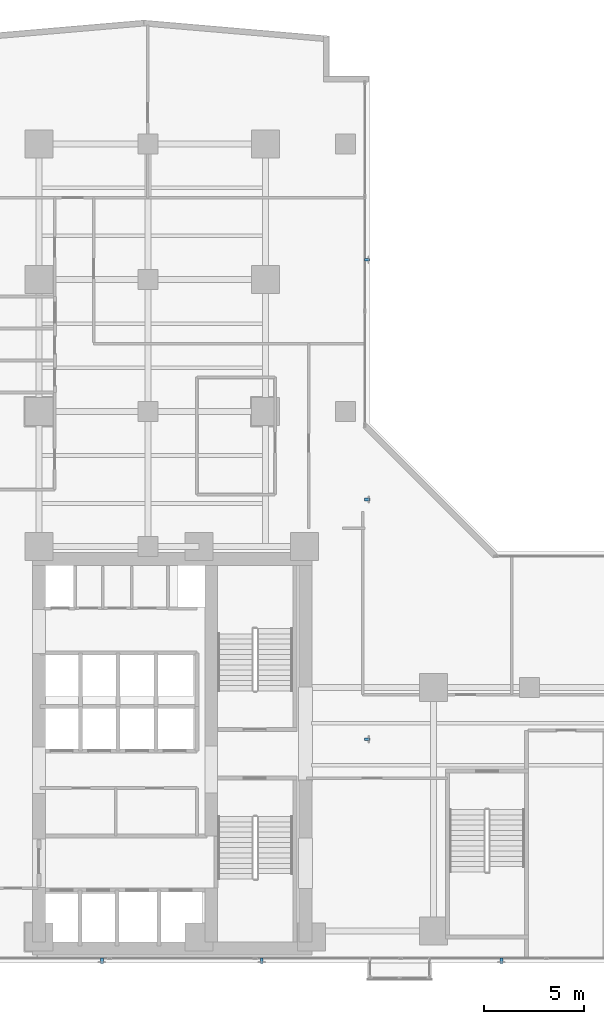
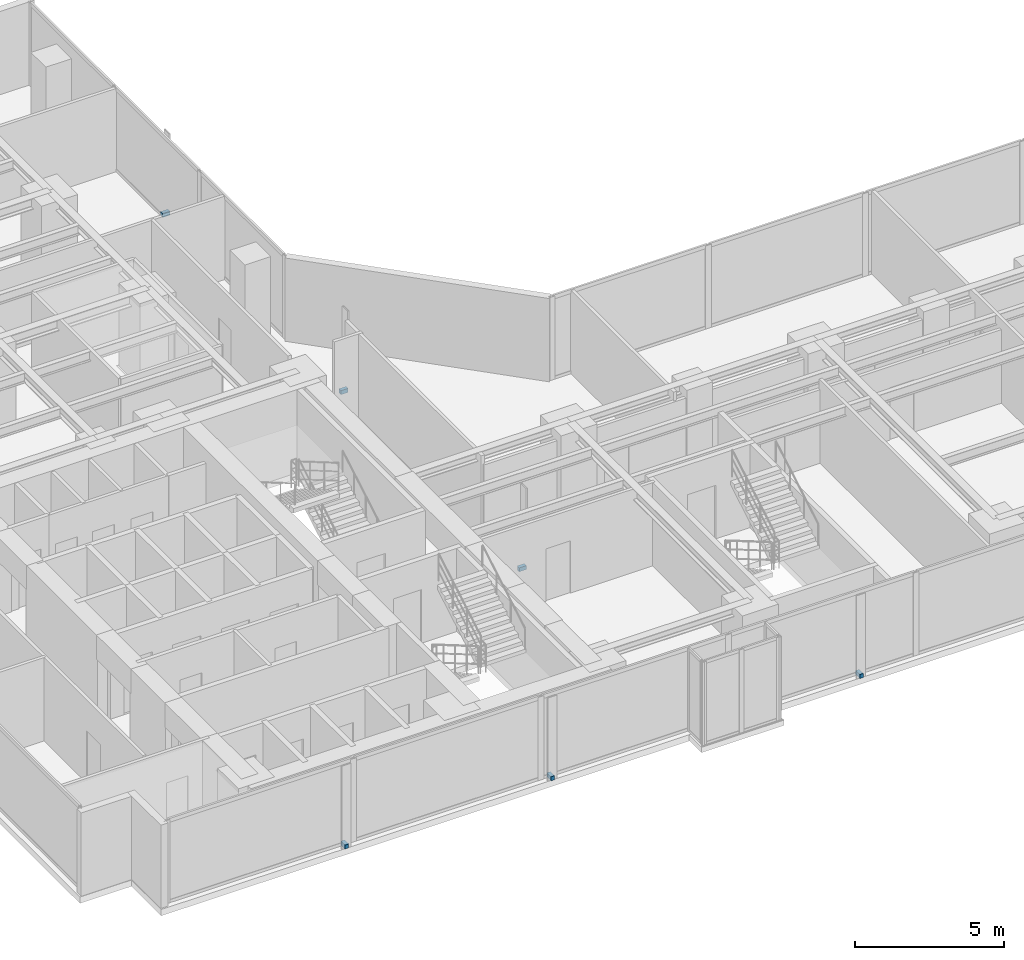
# One storey, part 22 of 25: 6 discrete accessories.
"""IFC4 building model written with IfcOpenShell, lengths in metres."""

import ifcopenshell
import ifcopenshell.guid

model = None  # the IFC model being written
_history = None  # IfcOwnerHistory: only IFC2X3 demands one
_inside = {}  # id of a spatial element -> (the spatial element, [elements in it])
_under = {}  # id of a project, library or spatial element -> (it, [spatial elements below it])
_declared = {}  # id of a project -> (the project, [libraries it declares])
_typed = {}  # id of a type object -> (the type object, [elements of that type])
_made_of = {}  # id of a material, layer set ... -> (it, [elements and type objects made of it])


def new_model(schema):
    """Start an empty IFC model of exactly this schema.

    Asked for "IFC4X3", IfcOpenShell would pick the latest addendum, in which some entities
    have other attributes; the version numbers below select the first issue.
    IFC2X3 requires an IfcOwnerHistory on every rooted entity: one is made here for all.
    """
    global model, _history
    if schema == "IFC4X3":
        model = ifcopenshell.file(schema_version=(4, 3, 0, 0))
    else:
        model = ifcopenshell.file(schema=schema)
    _inside.clear()
    _under.clear()
    _declared.clear()
    _typed.clear()
    _made_of.clear()
    _history = None
    if model.schema == "IFC2X3":
        org = make("IfcOrganization", Name="unknown")
        user = make(
            "IfcPersonAndOrganization",
            ThePerson=make("IfcPerson", FamilyName="unknown"),
            TheOrganization=org,
        )
        app = make(
            "IfcApplication",
            ApplicationDeveloper=org,
            Version="unknown",
            ApplicationFullName="unknown",
            ApplicationIdentifier="unknown",
        )
        _history = make(
            "IfcOwnerHistory",
            OwningUser=user,
            OwningApplication=app,
            ChangeAction="ADDED",
            CreationDate=0,
        )
    return model


def make(cls, **values):
    """One entity of the class cls with the attributes given. An attribute that is None is left unset."""
    return model.create_entity(
        cls, **{name: value for name, value in values.items() if value is not None}
    )


def rooted(cls, **values):
    """An entity with a GlobalId (a new one), such as an element, a storey or a relation."""
    return make(cls, GlobalId=ifcopenshell.guid.new(), OwnerHistory=_history, **values)


def si_unit(unit_type, name, prefix=None):
    """IfcSIUnit, for example si_unit("LENGTHUNIT", "METRE", prefix="MILLI")."""
    return make("IfcSIUnit", UnitType=unit_type, Prefix=prefix, Name=name)


def assignment(units):
    """IfcUnitAssignment: the units of a project."""
    return None if units is None else make("IfcUnitAssignment", Units=units)


def point(xyz):
    """IfcCartesianPoint."""
    return None if xyz is None else make("IfcCartesianPoint", Coordinates=xyz)


def direction(xyz):
    """IfcDirection."""
    return None if xyz is None else make("IfcDirection", DirectionRatios=xyz)


def frame(location, z_axis=None, x_axis=None):
    """IfcAxis2Placement3D, a coordinate frame: its origin and axes. An axis left out is left unset."""
    return make(
        "IfcAxis2Placement3D",
        Location=point(location),
        Axis=direction(z_axis),
        RefDirection=direction(x_axis),
    )


def frame_2d(location, x_axis=None):
    """IfcAxis2Placement2D, a coordinate frame in the plane: its origin and x axis."""
    return make(
        "IfcAxis2Placement2D", Location=point(location), RefDirection=direction(x_axis)
    )


def origin():
    """The frame at (0, 0, 0) with its axes left unset."""
    return frame((0.0, 0.0, 0.0))


def origin_with_axes():
    """The frame at (0, 0, 0) with the z axis (0, 0, 1) and the x axis (1, 0, 0) written out."""
    return frame((0.0, 0.0, 0.0), z_axis=(0.0, 0.0, 1.0), x_axis=(1.0, 0.0, 0.0))


def origin_2d():
    """The frame at (0, 0) in the plane with its x axis left unset."""
    return frame_2d((0.0, 0.0))


def place(relative_to, where):
    """IfcLocalPlacement: puts the frame where relative to a parent placement (None: the world)."""
    return make(
        "IfcLocalPlacement", PlacementRelTo=relative_to, RelativePlacement=where
    )


def context(
    kind, dimensions, precision=None, world=None, true_north=None, identifier=None
):
    """IfcGeometricRepresentationContext, for example the 3D "Model" context."""
    return make(
        "IfcGeometricRepresentationContext",
        ContextIdentifier=identifier,
        ContextType=kind,
        CoordinateSpaceDimension=dimensions,
        Precision=precision,
        WorldCoordinateSystem=world,
        TrueNorth=true_north,
    )


def subcontext(parent, identifier, kind, view, scale=None):
    """IfcGeometricRepresentationSubContext, for example "Body" below "Model"."""
    return make(
        "IfcGeometricRepresentationSubContext",
        ContextIdentifier=identifier,
        ContextType=kind,
        ParentContext=parent,
        TargetScale=scale,
        TargetView=view,
    )


def project(units=None, contexts=None):
    """IfcProject with its units and contexts."""
    return rooted(
        "IfcProject",
        Name="project",
        RepresentationContexts=contexts,
        UnitsInContext=assignment(units),
    )


def spatial(cls, under=None, at=None, **own):
    """A site, building, storey or space (cls), placed at a placement, below another one or the project."""
    s = rooted(cls, ObjectPlacement=at, **own)
    if under is not None:
        _under.setdefault(under.id(), (under, []))[1].append(s)
    return s


def profile(cls, at=None, kind="AREA", **sizes):
    """A parametric profile (cls). Its sizes go by their IFC names, for example OverallWidth=200.0."""
    return make(cls, ProfileType=kind, Position=at, **sizes)


def rectangle(**sizes):
    """IfcRectangleProfileDef."""
    return profile("IfcRectangleProfileDef", **sizes)


def extrude(swept, where, along, depth):
    """IfcExtrudedAreaSolid: the profile swept, set in the frame where, extruded along a direction by depth."""
    return make(
        "IfcExtrudedAreaSolid",
        SweptArea=swept,
        Position=where,
        ExtrudedDirection=direction(along),
        Depth=depth,
    )


def shape(context_of_items, identifier, shape_type, items):
    """IfcShapeRepresentation: the items that make up one representation, for example the "Body"."""
    return make(
        "IfcShapeRepresentation",
        ContextOfItems=context_of_items,
        RepresentationIdentifier=identifier,
        RepresentationType=shape_type,
        Items=items,
    )


def source(mapping_origin, context_of_items, identifier, shape_type, items):
    """IfcRepresentationMap: a shape defined once, which mapped items show again and again."""
    return make(
        "IfcRepresentationMap",
        MappingOrigin=mapping_origin,
        MappedRepresentation=shape(context_of_items, identifier, shape_type, items),
    )


def transform(
    local_origin,
    x_axis=None,
    y_axis=None,
    z_axis=None,
    scale=None,
    scale2=None,
    scale3=None,
    uniform=True,
):
    """IfcCartesianTransformationOperator3D, or its non-uniform kind. x_axis, y_axis, z_axis: its Axis1, 2, 3."""
    if uniform:
        return make(
            "IfcCartesianTransformationOperator3D",
            Axis1=direction(x_axis),
            Axis2=direction(y_axis),
            LocalOrigin=point(local_origin),
            Scale=scale,
            Axis3=direction(z_axis),
        )
    return make(
        "IfcCartesianTransformationOperator3DnonUniform",
        Axis1=direction(x_axis),
        Axis2=direction(y_axis),
        LocalOrigin=point(local_origin),
        Scale=scale,
        Axis3=direction(z_axis),
        Scale2=scale2,
        Scale3=scale3,
    )


def mapped(mapping_source, mapping_target):
    """IfcMappedItem: shows the shape of a source again, moved by a transform."""
    return make(
        "IfcMappedItem", MappingSource=mapping_source, MappingTarget=mapping_target
    )


def material(Name=None, Category=None):
    """IfcMaterial."""
    return make("IfcMaterial", Name=Name, Category=Category)


def made_of(thing, what):
    """Note that an element or type object is made of a material, layer set ...; save() writes the relation."""
    if what is not None:
        _made_of.setdefault(what.id(), (what, []))[1].append(thing)
    return thing


def type_object(cls, material=None, **own):
    """A type object (cls), such as IfcWallType, which elements share."""
    return made_of(rooted(cls, **own), material)


def element(
    cls,
    number,
    at=None,
    inside=None,
    cuts=None,
    type_object=None,
    material=None,
    context=None,
    identifier="Body",
    shape_type=None,
    held_by="IfcProductDefinitionShape",
    body=None,
    shapes=None,
    **own,
):
    """One element of the class cls, such as IfcWall. Its Tag is "e" and its number.

    at: its placement. inside: the storey or other place that contains it. cuts: it is an
    opening in that element (IfcRelVoidsElement). A single representation is given by context,
    identifier, shape_type and body (its items); several are given by shapes. held_by: the class
    of the entity that holds the representations. save() writes the other relations.
    """
    e = rooted(cls, Tag="e%d" % number, ObjectPlacement=at, **own)
    if body is not None:
        shapes = [shape(context, identifier, shape_type, body)]
    if shapes is not None:
        e.Representation = make(held_by, Representations=shapes)
    if inside is not None:
        _inside.setdefault(inside.id(), (inside, []))[1].append(e)
    if cuts is not None:
        rooted(
            "IfcRelVoidsElement", RelatingBuildingElement=cuts, RelatedOpeningElement=e
        )
    if type_object is not None:
        _typed.setdefault(type_object.id(), (type_object, []))[1].append(e)
    return made_of(e, material)


def aggregate(whole, parts):
    """IfcRelAggregates: a whole, such as a stair, and the parts it consists of."""
    return rooted("IfcRelAggregates", RelatingObject=whole, RelatedObjects=parts)


def save(model, path):
    """Write the relations noted so far, then the file.

    IfcRelAggregates (storeys below a building ...), IfcRelContainedInSpatialStructure (elements
    in a storey), IfcRelDefinesByType, IfcRelAssociatesMaterial and IfcRelDeclares: one each for
    every whole, place, type object, material and project.
    """
    for whole, parts in _under.values():
        aggregate(whole, parts)
    for where, things in _inside.values():
        rooted(
            "IfcRelContainedInSpatialStructure",
            RelatedElements=things,
            RelatingStructure=where,
        )
    for kind, things in _typed.values():
        rooted("IfcRelDefinesByType", RelatedObjects=things, RelatingType=kind)
    for what, things in _made_of.values():
        rooted("IfcRelAssociatesMaterial", RelatedObjects=things, RelatingMaterial=what)
    for by, libraries in _declared.values():
        rooted("IfcRelDeclares", RelatingContext=by, RelatedDefinitions=libraries)
    model.write(path)


model = new_model("IFC4")

# Units and contexts
model_context = context("Model", 3, precision=1e-05, world=origin(), true_north=direction((0.0, 1.0)))
body_context = subcontext(model_context, "Body", "Model", "MODEL_VIEW")
ifc_project = project(units=[si_unit("LENGTHUNIT", "METRE"), si_unit("AREAUNIT", "SQUARE_METRE"), si_unit("VOLUMEUNIT", "CUBIC_METRE"), si_unit("PLANEANGLEUNIT", "RADIAN"), si_unit("MASSUNIT", "GRAM", prefix="KILO")], contexts=[model_context])

# Site, building, storey
site_placement = place(None, origin())
site = spatial("IfcSite", under=ifc_project, at=site_placement, CompositionType="ELEMENT")
building_placement = place(site_placement, origin())
building = spatial("IfcBuilding", under=site, at=building_placement, Name="Kolvaren Waterfront Exchange", CompositionType="ELEMENT")
storey_placement = place(building_placement, frame((0.0, 0.0, 137.300048828125)))
storey = spatial("IfcBuildingStorey", under=building, at=storey_placement, Name="L35", CompositionType="ELEMENT", Elevation=137.300048828125)

# Discrete accessories
ifc_material = material(Name="Stainless steel 316", Category="steel")
discrete_accessory_type = type_object("IfcDiscreteAccessoryType", Name="ARC-BRK-FIN", PredefinedType="BRACKET", material=ifc_material)
shared_shape = source(origin_with_axes(), body_context, "Body", "SweptSolid", [
    extrude(rectangle(XDim=0.280029296875, YDim=0.139892578125, at=origin_2d()), origin(), (0.0, 0.0, 1.0), 0.159912109375),
])
for number, where, z_axis, x_axis, name in (
    (1, (10.60009765625, 3.719970703125, 0.0), (0.0, 0.0, 1.0), (0.0, -1.0, 0.0), "L35 bronze fin anchor bracket FIN-L35-S1"),
    (2, (18.60009765625, 3.719970703125, 0.0), (0.0, 0.0, 1.0), (0.0, -1.0, 0.0), "L35 bronze fin anchor bracket FIN-L35-S2"),
    (3, (30.60009765625, 3.719970703125, 0.0), (0.0, 0.0, 1.0), (0.0, -1.0, 0.0), "L35 bronze fin anchor bracket FIN-L35-S3"),
    (4, (23.8798828125, 14.800048828125, 0.0), (0.0, 0.0, 1.0), (1.0, 0.0, 0.0), "L35 bronze fin anchor bracket FIN-L35-E1"),
    (5, (23.8798828125, 26.800048828125, 0.0), (0.0, 0.0, 1.0), (1.0, 0.0, 0.0), "L35 bronze fin anchor bracket FIN-L35-E2"),
    (6, (23.8798828125, 38.800048828125, 0.0), (0.0, 0.0, 1.0), (1.0, 0.0, 0.0), "L35 bronze fin anchor bracket FIN-L35-E3"),
):
    element("IfcDiscreteAccessory", number, at=place(storey_placement, frame(where, z_axis=z_axis, x_axis=x_axis)), inside=storey, type_object=discrete_accessory_type, Name=name, PredefinedType="BRACKET", context=body_context, shape_type="MappedRepresentation", body=[
        mapped(shared_shape, transform((0.0, 0.0, 0.0), x_axis=(1.0, 0.0, 0.0), y_axis=(0.0, 1.0, 0.0), z_axis=(0.0, 0.0, 1.0), scale=1.0)),
    ])

save(model, "model.ifc")
